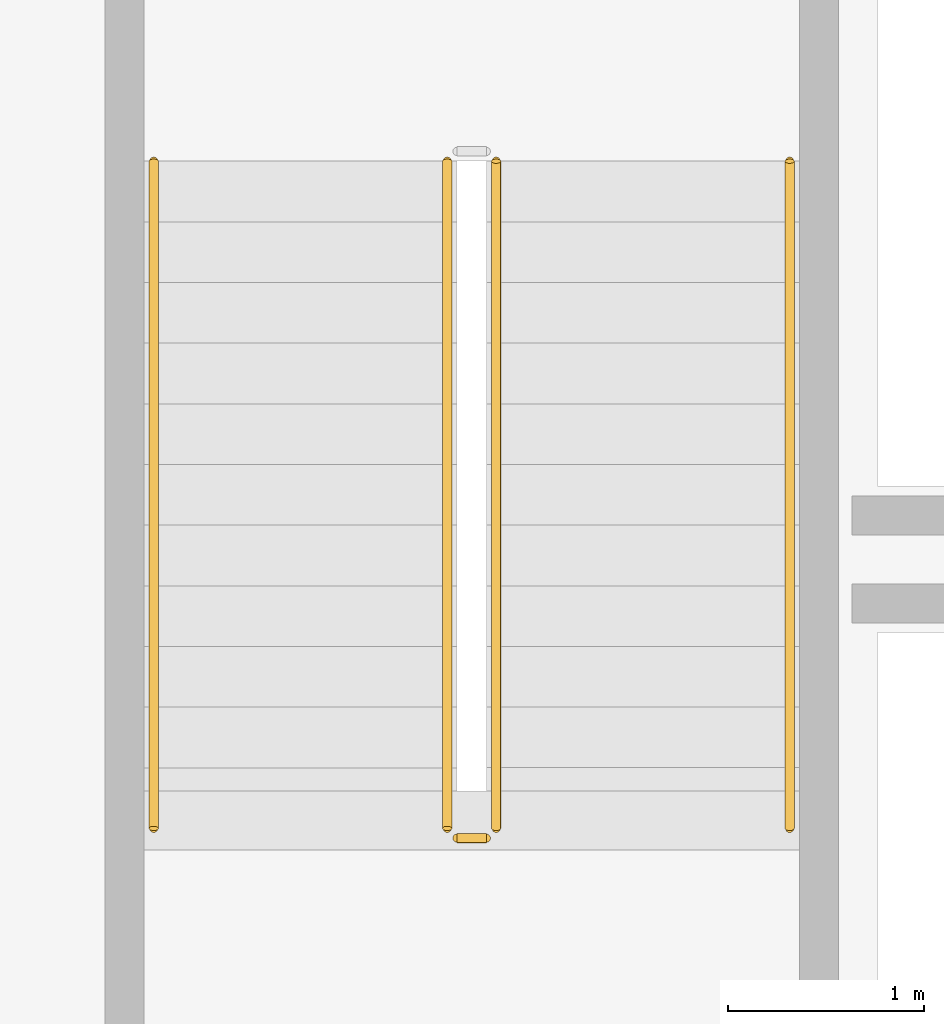
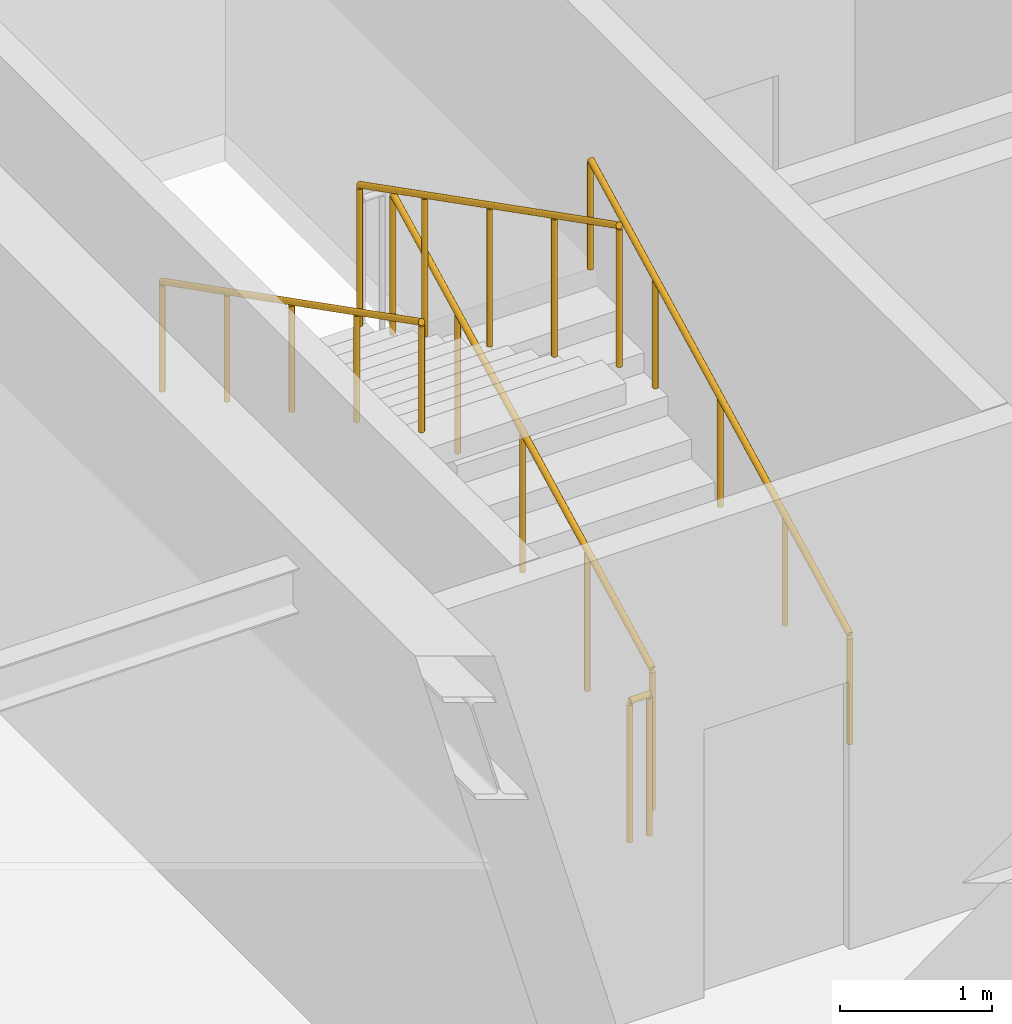
# One storey, part 14 of 19: 5 railings.
"""IFC4 building model written with IfcOpenShell, lengths in metres."""

from ifc_helpers import new_model, si_unit, direction, frame, origin, origin_2d, place, context, subcontext, project, spatial, circle, extrude, material, type_object, element, save


model = new_model("IFC4")

# Units and contexts
model_context = context("Model", 3, precision=1e-05, world=origin(), true_north=direction((0.0, 1.0)))
body_context = subcontext(model_context, "Body", "Model", "MODEL_VIEW")
ifc_project = project(units=[si_unit("LENGTHUNIT", "METRE"), si_unit("AREAUNIT", "SQUARE_METRE"), si_unit("VOLUMEUNIT", "CUBIC_METRE"), si_unit("PLANEANGLEUNIT", "RADIAN"), si_unit("MASSUNIT", "GRAM", prefix="KILO")], contexts=[model_context])

# Site, building, storey
site_placement = place(None, origin())
site = spatial("IfcSite", under=ifc_project, at=site_placement, CompositionType="ELEMENT")
building_placement = place(site_placement, origin())
building = spatial("IfcBuilding", under=site, at=building_placement, Name="Vaeldorn Concourse Tower", CompositionType="ELEMENT")
storey_placement = place(building_placement, frame((0.0, 0.0, 276.39990234375)))
storey = spatial("IfcBuildingStorey", under=building, at=storey_placement, Name="L71", CompositionType="ELEMENT", Elevation=276.39990234375)

# Railings
ifc_material = material(Name="Anodised Bronze Aluminium", Category="aluminium")
railing_type_1 = type_object("IfcRailingType", Name="RL-STAIR-GUARD", PredefinedType="GUARDRAIL", material=ifc_material)
railing_1_placement = place(storey_placement, frame((16.85009765625, 41.60009765625, 0.158447265625)))
element("IfcRailing", 1, at=railing_1_placement, inside=storey, type_object=railing_type_1, Name="L71 ST-1 stair guard 1", PredefinedType="GUARDRAIL", context=body_context, shape_type="SweptSolid", body=[
    extrude(circle(Radius=0.02392578125, at=origin_2d()), frame((0.0, 0.0, 1.1259765625), z_axis=(0.0, 0.890555807335, 0.454873997962), x_axis=(-1.0, 0.0, 0.0)), (0.0, 0.0, 1.0), 3.828857421875),
    extrude(circle(Radius=0.02099609375, at=origin_2d()), origin(), (0.0, 0.0, 1.0), 1.101806640625),
    extrude(circle(Radius=0.02099609375, at=origin_2d()), frame((0.0, 0.8525390625, 0.435546875)), (0.0, 0.0, 1.0), 1.101806640625),
    extrude(circle(Radius=0.02099609375, at=origin_2d()), frame((0.0, 1.705078125, 0.870849609375)), (0.0, 0.0, 1.0), 1.101806640625),
    extrude(circle(Radius=0.02099609375, at=origin_2d()), frame((0.0, 2.557373046875, 1.30615234375)), (0.0, 0.0, 1.0), 1.101806640625),
    extrude(circle(Radius=0.02099609375, at=origin_2d()), frame((0.0, 3.409912109375, 1.74169921875)), (0.0, 0.0, 1.0), 1.101806640625),
])
railing_2_placement = place(storey_placement, frame((16.60009765625, 45.010009765625, 2.058349609375)))
element("IfcRailing", 2, at=railing_2_placement, inside=storey, type_object=railing_type_1, Name="L71 ST-1 stair guard 3", PredefinedType="GUARDRAIL", context=body_context, shape_type="SweptSolid", body=[
    extrude(circle(Radius=0.02392578125, at=origin_2d()), frame((0.0, 0.0, 1.1259765625), z_axis=(0.0, -0.890555807335, 0.454873997962), x_axis=(1.0, 0.0, 0.0)), (0.0, 0.0, 1.0), 3.828857421875),
    extrude(circle(Radius=0.02099609375, at=origin_2d()), origin(), (0.0, 0.0, 1.0), 1.101806640625),
    extrude(circle(Radius=0.02099609375, at=origin_2d()), frame((0.0, -0.8525390625, 0.435546875)), (0.0, 0.0, 1.0), 1.101806640625),
    extrude(circle(Radius=0.02099609375, at=origin_2d()), frame((0.0, -1.705078125, 0.870849609375)), (0.0, 0.0, 1.0), 1.101806640625),
    extrude(circle(Radius=0.02099609375, at=origin_2d()), frame((0.0, -2.557373046875, 1.30615234375)), (0.0, 0.0, 1.0), 1.101806640625),
    extrude(circle(Radius=0.02099609375, at=origin_2d()), frame((0.0, -3.409912109375, 1.74169921875)), (0.0, 0.0, 1.0), 1.101806640625),
])
railing_3_placement = place(storey_placement, frame((16.800048828125, 41.550048828125, 0.0)))
element("IfcRailing", 3, at=railing_3_placement, inside=storey, type_object=railing_type_1, Name="L71 ST-1 stair guard 4", PredefinedType="GUARDRAIL", context=body_context, shape_type="SweptSolid", body=[
    extrude(circle(Radius=0.02392578125, at=origin_2d()), frame((0.0, 0.0, 1.1259765625), z_axis=(-1.0, 0.0, 0.0), x_axis=(0.0, -1.0, 0.0)), (0.0, 0.0, 1.0), 0.150146484375),
    extrude(circle(Radius=0.02099609375, at=origin_2d()), origin(), (0.0, 0.0, 1.0), 1.101806640625),
    extrude(circle(Radius=0.02099609375, at=origin_2d()), frame((-0.150146484375, 0.0, 0.0)), (0.0, 0.0, 1.0), 1.101806640625),
])
railing_type_2 = type_object("IfcRailingType", Name="RL-STAIR-HANDRAIL", PredefinedType="HANDRAIL", material=ifc_material)
railing_4_placement = place(storey_placement, frame((18.35009765625, 41.60009765625, 0.158447265625)))
element("IfcRailing", 4, at=railing_4_placement, inside=storey, type_object=railing_type_2, Name="L71 ST-1 stair handrail 1", PredefinedType="HANDRAIL", context=body_context, shape_type="SweptSolid", body=[
    extrude(circle(Radius=0.02392578125, at=origin_2d()), frame((0.0, 0.0, 0.8759765625), z_axis=(0.0, 0.890555807335, 0.454873997962), x_axis=(-1.0, 0.0, 0.0)), (0.0, 0.0, 1.0), 3.828857421875),
    extrude(circle(Radius=0.02099609375, at=origin_2d()), origin(), (0.0, 0.0, 1.0), 0.851806640625),
    extrude(circle(Radius=0.02099609375, at=origin_2d()), frame((0.0, 0.8525390625, 0.435546875)), (0.0, 0.0, 1.0), 0.851806640625),
    extrude(circle(Radius=0.02099609375, at=origin_2d()), frame((0.0, 1.705078125, 0.870849609375)), (0.0, 0.0, 1.0), 0.851806640625),
    extrude(circle(Radius=0.02099609375, at=origin_2d()), frame((0.0, 2.557373046875, 1.30615234375)), (0.0, 0.0, 1.0), 0.851806640625),
    extrude(circle(Radius=0.02099609375, at=origin_2d()), frame((0.0, 3.409912109375, 1.74169921875)), (0.0, 0.0, 1.0), 0.851806640625),
])
railing_5_placement = place(storey_placement, frame((15.10009765625, 45.010009765625, 2.058349609375)))
element("IfcRailing", 5, at=railing_5_placement, inside=storey, type_object=railing_type_2, Name="L71 ST-1 stair handrail 2", PredefinedType="HANDRAIL", context=body_context, shape_type="SweptSolid", body=[
    extrude(circle(Radius=0.02392578125, at=origin_2d()), frame((0.0, 0.0, 0.8759765625), z_axis=(0.0, -0.890555807335, 0.454873997962), x_axis=(1.0, 0.0, 0.0)), (0.0, 0.0, 1.0), 3.828857421875),
    extrude(circle(Radius=0.02099609375, at=origin_2d()), origin(), (0.0, 0.0, 1.0), 0.851806640625),
    extrude(circle(Radius=0.02099609375, at=origin_2d()), frame((0.0, -0.8525390625, 0.435546875)), (0.0, 0.0, 1.0), 0.851806640625),
    extrude(circle(Radius=0.02099609375, at=origin_2d()), frame((0.0, -1.705078125, 0.870849609375)), (0.0, 0.0, 1.0), 0.851806640625),
    extrude(circle(Radius=0.02099609375, at=origin_2d()), frame((0.0, -2.557373046875, 1.30615234375)), (0.0, 0.0, 1.0), 0.851806640625),
    extrude(circle(Radius=0.02099609375, at=origin_2d()), frame((0.0, -3.409912109375, 1.74169921875)), (0.0, 0.0, 1.0), 0.851806640625),
])

save(model, "model.ifc")
